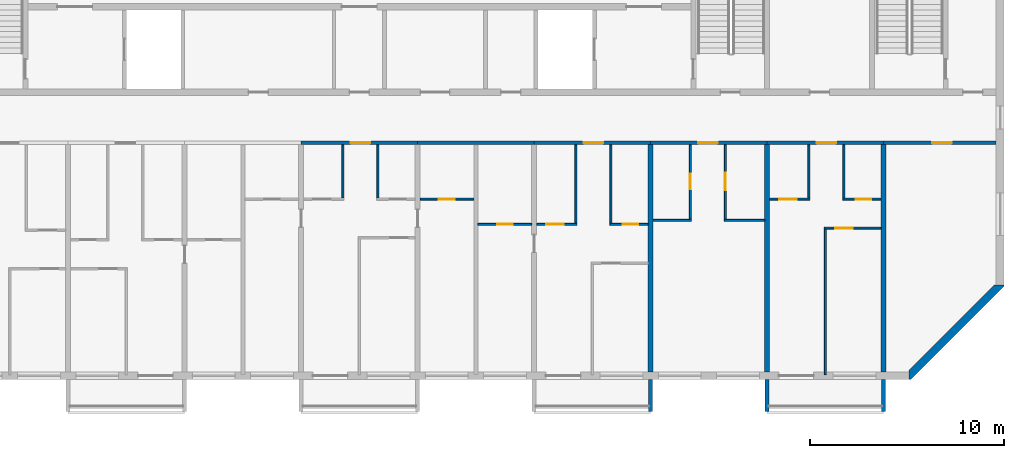
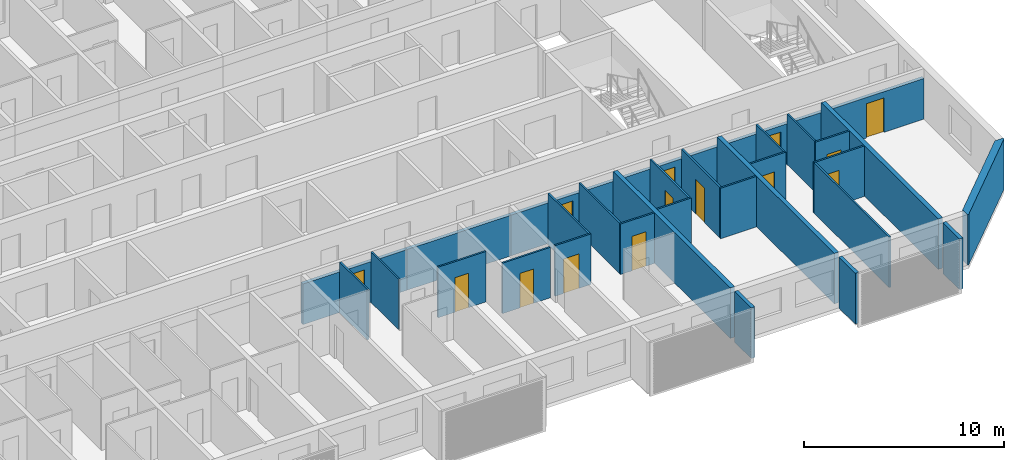
# One storey, part 5 of 26: 31 walls, 14 doors, 14 openings.
"""IFC4 building model written with IfcOpenShell, lengths in metres."""

from ifc_helpers import new_model, si_unit, direction, frame, frame_2d, origin, place, context, subcontext, project, spatial, polyline, rectangle, outline, extrude, source, transform, mapped, material, layer, layer_set, type_object, element, fill, save


model = new_model("IFC4")

# Units and contexts
model_context = context("Model", 3, precision=1e-05, world=origin(), true_north=direction((0.0, 1.0)))
body_context = subcontext(model_context, "Body", "Model", "MODEL_VIEW")
ifc_project = project(units=[si_unit("LENGTHUNIT", "METRE"), si_unit("AREAUNIT", "SQUARE_METRE"), si_unit("VOLUMEUNIT", "CUBIC_METRE"), si_unit("PLANEANGLEUNIT", "RADIAN"), si_unit("MASSUNIT", "GRAM", prefix="KILO")], contexts=[model_context])

# Site, building, storey
site_placement = place(None, origin())
site = spatial("IfcSite", under=ifc_project, at=site_placement, CompositionType="ELEMENT")
building_placement = place(site_placement, origin())
building = spatial("IfcBuilding", under=site, at=building_placement, Name="Poui Terraces", CompositionType="ELEMENT")
storey_placement = place(building_placement, frame((0.0, 0.0, 228.0)))
storey = spatial("IfcBuildingStorey", under=building, at=storey_placement, Name="L63", CompositionType="ELEMENT", Elevation=228.0)

# Wall, opening, door
ifc_material_1 = material(Name="Concrete 50 MPa", Category="concrete")
ifc_layer_1 = layer(ifc_material_1, 0.199951171875)
ifc_layer_set_1 = layer_set([ifc_layer_1], Name="Concrete 50 MPa")
wall_type_1 = type_object("IfcWallType", Name="CORRIDOR WALL 200 50MPa", PredefinedType="SHEAR", material=ifc_layer_set_1)
wall_1_placement = place(storey_placement, frame((48.0, 12.0, 0.0), z_axis=(0.0, 0.0, 1.0), x_axis=(1.0, 0.0, 0.0)))
wall_1 = element("IfcWall", 1, at=wall_1_placement, inside=storey, type_object=wall_type_1, Name="CORRIDOR WALL LINE B BAY 6", PredefinedType="SHEAR", context=body_context, shape_type="SweptSolid", body=[
    extrude(rectangle(XDim=6.0, YDim=0.199951171875, at=frame_2d((3.0, 0.0))), origin(), (0.0, 0.0, 1.0), 2.47998046875),
])
opening_1_placement = place(wall_1_placement, frame((2.550048828125, 0.0, 0.0)))
opening_1 = element("IfcOpeningElement", 2, at=opening_1_placement, cuts=wall_1, Name="Opening FD30S", PredefinedType="OPENING", context=body_context, shape_type="SweptSolid", body=[
    extrude(rectangle(XDim=1.0, YDim=2.10009765625, at=frame_2d((0.5, 1.050048828125))), frame((0.0, 0.10986328125, 0.0), z_axis=(0.0, -1.0, 0.0), x_axis=(1.0, 0.0, 0.0)), (0.0, 0.0, 1.0), 0.219970703125),
])
ifc_material_2 = material(Name="Steel fire door", Category="steel")
door_type_1 = type_object("IfcDoorType", Name="FLAT ENTRANCE DOOR 1000 X 2100", OperationType="NOTDEFINED", PredefinedType="DOOR", material=ifc_material_2)
door_1_placement = place(opening_1_placement, frame((1.0, 0.0, 0.0), z_axis=(0.0, 0.0, 1.0), x_axis=(-1.0, 0.0, 0.0)))
door_1 = element("IfcDoor", 3, at=door_1_placement, inside=storey, type_object=door_type_1, Name="FLAT ENTRANCE DOOR 077", OperationType="SINGLE_SWING_LEFT", OverallHeight=2.10009765625, OverallWidth=1.0, PredefinedType="DOOR", context=body_context, shape_type="SweptSolid", body=[
    extrude(rectangle(XDim=1.0, YDim=2.10009765625, at=frame_2d((0.5, 1.050048828125))), frame((0.0, 0.02490234375, 0.0), z_axis=(0.0, -1.0, 0.0), x_axis=(1.0, 0.0, 0.0)), (0.0, 0.0, 1.0), 0.050048828125),
])
fill(opening_1, door_1)

# Wall
wall_2_placement = place(storey_placement, frame((54.0, 12.0, 0.0), z_axis=(0.0, 0.0, 1.0), x_axis=(1.0, 0.0, 0.0)))
element("IfcWall", 4, at=wall_2_placement, inside=storey, type_object=wall_type_1, Name="CORRIDOR WALL LINE B BAY 7", PredefinedType="SHEAR", context=body_context, shape_type="SweptSolid", body=[
    extrude(rectangle(XDim=6.0, YDim=0.199951171875, at=frame_2d((3.0, 0.0))), origin(), (0.0, 0.0, 1.0), 2.47998046875),
])

# Wall, opening, door
wall_3_placement = place(storey_placement, frame((60.0, 12.0, 0.0), z_axis=(0.0, 0.0, 1.0), x_axis=(1.0, 0.0, 0.0)))
wall_3 = element("IfcWall", 5, at=wall_3_placement, inside=storey, type_object=wall_type_1, Name="CORRIDOR WALL LINE B BAY 8", PredefinedType="SHEAR", context=body_context, shape_type="SweptSolid", body=[
    extrude(rectangle(XDim=6.0, YDim=0.199951171875, at=frame_2d((3.0, 0.0))), origin(), (0.0, 0.0, 1.0), 2.47998046875),
])
opening_2_placement = place(wall_3_placement, frame((2.550048828125, 0.0, 0.0)))
opening_2 = element("IfcOpeningElement", 6, at=opening_2_placement, cuts=wall_3, Name="Opening FD30S", PredefinedType="OPENING", context=body_context, shape_type="SweptSolid", body=[
    extrude(rectangle(XDim=1.0, YDim=2.10009765625, at=frame_2d((0.5, 1.050048828125))), frame((0.0, 0.10986328125, 0.0), z_axis=(0.0, -1.0, 0.0), x_axis=(1.0, 0.0, 0.0)), (0.0, 0.0, 1.0), 0.219970703125),
])
door_2_placement = place(opening_2_placement, frame((1.0, 0.0, 0.0), z_axis=(0.0, 0.0, 1.0), x_axis=(-1.0, 0.0, 0.0)))
door_2 = element("IfcDoor", 7, at=door_2_placement, inside=storey, type_object=door_type_1, Name="FLAT ENTRANCE DOOR 084", OperationType="SINGLE_SWING_LEFT", OverallHeight=2.10009765625, OverallWidth=1.0, PredefinedType="DOOR", context=body_context, shape_type="SweptSolid", body=[
    extrude(rectangle(XDim=1.0, YDim=2.10009765625, at=frame_2d((0.5, 1.050048828125))), frame((0.0, 0.02490234375, 0.0), z_axis=(0.0, -1.0, 0.0), x_axis=(1.0, 0.0, 0.0)), (0.0, 0.0, 1.0), 0.050048828125),
])
fill(opening_2, door_2)

wall_4_placement = place(storey_placement, frame((66.0, 12.0, 0.0), z_axis=(0.0, 0.0, 1.0), x_axis=(1.0, 0.0, 0.0)))
wall_4 = element("IfcWall", 8, at=wall_4_placement, inside=storey, type_object=wall_type_1, Name="CORRIDOR WALL LINE B BAY 9", PredefinedType="SHEAR", context=body_context, shape_type="SweptSolid", body=[
    extrude(rectangle(XDim=6.0, YDim=0.199951171875, at=frame_2d((3.0, 0.0))), origin(), (0.0, 0.0, 1.0), 2.47998046875),
])
opening_3_placement = place(wall_4_placement, frame((2.449951171875, 0.0, 0.0)))
opening_3 = element("IfcOpeningElement", 9, at=opening_3_placement, cuts=wall_4, Name="Opening FD30S", PredefinedType="OPENING", context=body_context, shape_type="SweptSolid", body=[
    extrude(rectangle(XDim=1.0, YDim=2.10009765625, at=frame_2d((0.5, 1.050048828125))), frame((0.0, 0.10986328125, 0.0), z_axis=(0.0, -1.0, 0.0), x_axis=(1.0, 0.0, 0.0)), (0.0, 0.0, 1.0), 0.219970703125),
])
door_3_placement = place(opening_3_placement, frame((1.0, 0.0, 0.0), z_axis=(0.0, 0.0, 1.0), x_axis=(-1.0, 0.0, 0.0)))
door_3 = element("IfcDoor", 10, at=door_3_placement, inside=storey, type_object=door_type_1, Name="FLAT ENTRANCE DOOR 088", OperationType="SINGLE_SWING_RIGHT", OverallHeight=2.10009765625, OverallWidth=1.0, PredefinedType="DOOR", context=body_context, shape_type="SweptSolid", body=[
    extrude(rectangle(XDim=1.0, YDim=2.10009765625, at=frame_2d((0.5, 1.050048828125))), frame((0.0, 0.02490234375, 0.0), z_axis=(0.0, -1.0, 0.0), x_axis=(1.0, 0.0, 0.0)), (0.0, 0.0, 1.0), 0.050048828125),
])
fill(opening_3, door_3)

wall_5_placement = place(storey_placement, frame((72.0, 12.0, 0.0), z_axis=(0.0, 0.0, 1.0), x_axis=(1.0, 0.0, 0.0)))
wall_5 = element("IfcWall", 11, at=wall_5_placement, inside=storey, type_object=wall_type_1, Name="CORRIDOR WALL LINE B BAY 10", PredefinedType="SHEAR", context=body_context, shape_type="SweptSolid", body=[
    extrude(rectangle(XDim=6.0, YDim=0.199951171875, at=frame_2d((3.0, 0.0))), origin(), (0.0, 0.0, 1.0), 2.47998046875),
])
opening_4_placement = place(wall_5_placement, frame((2.550048828125, 0.0, 0.0)))
opening_4 = element("IfcOpeningElement", 12, at=opening_4_placement, cuts=wall_5, Name="Opening FD30S", PredefinedType="OPENING", context=body_context, shape_type="SweptSolid", body=[
    extrude(rectangle(XDim=1.0, YDim=2.10009765625, at=frame_2d((0.5, 1.050048828125))), frame((0.0, 0.10986328125, 0.0), z_axis=(0.0, -1.0, 0.0), x_axis=(1.0, 0.0, 0.0)), (0.0, 0.0, 1.0), 0.219970703125),
])
door_4_placement = place(opening_4_placement, frame((1.0, 0.0, 0.0), z_axis=(0.0, 0.0, 1.0), x_axis=(-1.0, 0.0, 0.0)))
door_4 = element("IfcDoor", 13, at=door_4_placement, inside=storey, type_object=door_type_1, Name="FLAT ENTRANCE DOOR 091", OperationType="SINGLE_SWING_LEFT", OverallHeight=2.10009765625, OverallWidth=1.0, PredefinedType="DOOR", context=body_context, shape_type="SweptSolid", body=[
    extrude(rectangle(XDim=1.0, YDim=2.10009765625, at=frame_2d((0.5, 1.050048828125))), frame((0.0, 0.02490234375, 0.0), z_axis=(0.0, -1.0, 0.0), x_axis=(1.0, 0.0, 0.0)), (0.0, 0.0, 1.0), 0.050048828125),
])
fill(opening_4, door_4)

wall_6_placement = place(storey_placement, frame((78.0, 12.0, 0.0), z_axis=(0.0, 0.0, 1.0), x_axis=(1.0, 0.0, 0.0)))
wall_6 = element("IfcWall", 14, at=wall_6_placement, inside=storey, type_object=wall_type_1, Name="CORRIDOR WALL LINE B BAY 11", PredefinedType="SHEAR", context=body_context, shape_type="SweptSolid", body=[
    extrude(rectangle(XDim=5.800048828125, YDim=0.199951171875, at=frame_2d((2.89990234375, 0.0))), origin(), (0.0, 0.0, 1.0), 2.47998046875),
])
opening_5_placement = place(wall_6_placement, frame((2.5, 0.0, 0.0)))
opening_5 = element("IfcOpeningElement", 15, at=opening_5_placement, cuts=wall_6, Name="Opening D100", PredefinedType="OPENING", context=body_context, shape_type="SweptSolid", body=[
    extrude(rectangle(XDim=1.0, YDim=2.10009765625, at=frame_2d((0.5, 1.050048828125))), frame((0.0, 0.10986328125, 0.0), z_axis=(0.0, -1.0, 0.0), x_axis=(1.0, 0.0, 0.0)), (0.0, 0.0, 1.0), 0.219970703125),
])
ifc_material_3 = material(Name="Solid core timber door", Category="wood")
door_type_2 = type_object("IfcDoorType", Name="ACCESSIBLE INTERNAL DOOR 1000 X 2100", OperationType="NOTDEFINED", PredefinedType="DOOR", material=ifc_material_3)
door_5_placement = place(opening_5_placement, frame((1.0, 0.0, 0.0), z_axis=(0.0, 0.0, 1.0), x_axis=(-1.0, 0.0, 0.0)))
door_5 = element("IfcDoor", 16, at=door_5_placement, inside=storey, type_object=door_type_2, Name="ACCESSIBLE INTERNAL DOOR 094", OperationType="SINGLE_SWING_RIGHT", OverallHeight=2.10009765625, OverallWidth=1.0, PredefinedType="DOOR", context=body_context, shape_type="SweptSolid", body=[
    extrude(rectangle(XDim=1.0, YDim=2.10009765625, at=frame_2d((0.5, 1.050048828125))), frame((0.0, 0.02490234375, 0.0), z_axis=(0.0, -1.0, 0.0), x_axis=(1.0, 0.0, 0.0)), (0.0, 0.0, 1.0), 0.050048828125),
])
fill(opening_5, door_5)

# Walls
ifc_layer_2 = layer(ifc_material_1, 0.25)
ifc_layer_set_2 = layer_set([ifc_layer_2], Name="Concrete 50 MPa")
wall_type_2 = type_object("IfcWallType", Name="CROSS WALL 250 50MPa", PredefinedType="SHEAR", material=ifc_layer_set_2)
for number, where, z_axis, x_axis, name in (
    (17, (66.0, 0.199951171875, 0.0), (0.0, 0.0, 1.0), (0.0, 1.0, 0.0), "CROSS WALL LINE 12 SOUTH"),
    (18, (72.0, 0.199951171875, 0.0), (0.0, 0.0, 1.0), (0.0, 1.0, 0.0), "CROSS WALL LINE 13 SOUTH"),
    (19, (78.0, 0.199951171875, 0.0), (0.0, 0.0, 1.0), (0.0, 1.0, 0.0), "CROSS WALL LINE 14 SOUTH"),
):
    element("IfcWall", number, at=place(storey_placement, frame(where, z_axis=z_axis, x_axis=x_axis)), inside=storey, type_object=wall_type_2, Name=name, PredefinedType="SHEAR", context=body_context, shape_type="SweptSolid", body=[
        extrude(rectangle(XDim=11.699951171875, YDim=0.25, at=frame_2d((5.85009765625, 0.0))), origin(), (0.0, 0.0, 1.0), 3.080078125),
    ])

# Wall, opening, door
ifc_material_4 = material(Name="Plasterboard partition")
ifc_layer_3 = layer(ifc_material_4, 0.10009765625)
ifc_layer_set_3 = layer_set([ifc_layer_3], Name="Plasterboard partition")
wall_type_3 = type_object("IfcWallType", Name="FLAT PARTITION 100", PredefinedType="PARTITIONING", material=ifc_layer_set_3)
wall_7_placement = place(storey_placement, frame((74.949951171875, 7.60009765625, 0.0), z_axis=(0.0, 0.0, 1.0), x_axis=(1.0, 0.0, 0.0)))
wall_7 = element("IfcWall", 20, at=wall_7_placement, inside=storey, type_object=wall_type_3, Name="FLAT PARTITION 100", PredefinedType="PARTITIONING", context=body_context, shape_type="SweptSolid", body=[
    extrude(rectangle(XDim=2.9150390625, YDim=0.10009765625, at=frame_2d((1.45751953125, 0.0))), origin(), (0.0, 0.0, 1.0), 3.080078125),
])
opening_6_placement = place(wall_7_placement, frame((0.550048828125, 0.0, 0.0)))
opening_6 = element("IfcOpeningElement", 21, at=opening_6_placement, cuts=wall_7, Name="Opening D90", PredefinedType="OPENING", context=body_context, shape_type="SweptSolid", body=[
    extrude(rectangle(XDim=0.89990234375, YDim=2.10009765625, at=frame_2d((0.449951171875, 1.050048828125))), frame((0.0, 0.06005859375, 0.0), z_axis=(0.0, -1.0, 0.0), x_axis=(1.0, 0.0, 0.0)), (0.0, 0.0, 1.0), 0.1201171875),
])
door_type_3 = type_object("IfcDoorType", Name="INTERNAL DOOR 900 X 2100", OperationType="NOTDEFINED", PredefinedType="DOOR", material=ifc_material_3)
door_6_placement = place(opening_6_placement, origin())
door_6 = element("IfcDoor", 22, at=door_6_placement, inside=storey, type_object=door_type_3, Name="INTERNAL DOOR 092", OperationType="SINGLE_SWING_RIGHT", OverallHeight=2.10009765625, OverallWidth=0.89990234375, PredefinedType="DOOR", context=body_context, shape_type="SweptSolid", body=[
    extrude(rectangle(XDim=0.89990234375, YDim=2.10009765625, at=frame_2d((0.449951171875, 1.050048828125))), frame((0.0, 0.02490234375, 0.0), z_axis=(0.0, -1.0, 0.0), x_axis=(1.0, 0.0, 0.0)), (0.0, 0.0, 1.0), 0.050048828125),
])
fill(opening_6, door_6)

wall_8_placement = place(storey_placement, frame((57.10009765625, 7.800048828125, 0.0), z_axis=(0.0, 0.0, 1.0), x_axis=(1.0, 0.0, 0.0)))
wall_8 = element("IfcWall", 23, at=wall_8_placement, inside=storey, type_object=wall_type_3, Name="FLAT PARTITION 100", PredefinedType="PARTITIONING", context=body_context, shape_type="SweptSolid", body=[
    extrude(rectangle(XDim=2.764892578125, YDim=0.10009765625, at=frame_2d((1.38232421875, 0.0))), origin(), (0.0, 0.0, 1.0), 3.080078125),
])
opening_7_placement = place(wall_8_placement, frame((1.0, 0.0, 0.0)))
opening_7 = element("IfcOpeningElement", 24, at=opening_7_placement, cuts=wall_8, Name="Opening D80", PredefinedType="OPENING", context=body_context, shape_type="SweptSolid", body=[
    extrude(rectangle(XDim=0.800048828125, YDim=2.10009765625, at=frame_2d((0.39990234375, 1.050048828125))), frame((0.0, 0.06005859375, 0.0), z_axis=(0.0, -1.0, 0.0), x_axis=(1.0, 0.0, 0.0)), (0.0, 0.0, 1.0), 0.1201171875),
])
door_type_4 = type_object("IfcDoorType", Name="BATHROOM, LAUNDRY AND STORE DOOR 800 X 2100", OperationType="NOTDEFINED", PredefinedType="DOOR", material=ifc_material_3)
door_7_placement = place(opening_7_placement, origin())
door_7 = element("IfcDoor", 25, at=door_7_placement, inside=storey, type_object=door_type_4, Name="BATHROOM, LAUNDRY AND STORE DOOR 081", OperationType="SINGLE_SWING_RIGHT", OverallHeight=2.10009765625, OverallWidth=0.800048828125, PredefinedType="DOOR", context=body_context, shape_type="SweptSolid", body=[
    extrude(rectangle(XDim=0.800048828125, YDim=2.10009765625, at=frame_2d((0.39990234375, 1.050048828125))), frame((0.0, 0.02490234375, 0.0), z_axis=(0.0, -1.0, 0.0), x_axis=(1.0, 0.0, 0.0)), (0.0, 0.0, 1.0), 0.050048828125),
])
fill(opening_7, door_7)

wall_9_placement = place(storey_placement, frame((60.135009765625, 7.800048828125, 0.0), z_axis=(0.0, 0.0, 1.0), x_axis=(1.0, 0.0, 0.0)))
wall_9 = element("IfcWall", 26, at=wall_9_placement, inside=storey, type_object=wall_type_3, Name="FLAT PARTITION 100", PredefinedType="PARTITIONING", context=body_context, shape_type="SweptSolid", body=[
    extrude(rectangle(XDim=2.06494140625, YDim=0.10009765625, at=frame_2d((1.032470703125, 0.0))), origin(), (0.0, 0.0, 1.0), 3.080078125),
])
opening_8_placement = place(wall_9_placement, frame((0.489990234375, 0.0, 0.0)))
opening_8 = element("IfcOpeningElement", 27, at=opening_8_placement, cuts=wall_9, Name="Opening D90", PredefinedType="OPENING", context=body_context, shape_type="SweptSolid", body=[
    extrude(rectangle(XDim=0.89990234375, YDim=2.10009765625, at=frame_2d((0.449951171875, 1.050048828125))), frame((0.0, 0.06005859375, 0.0), z_axis=(0.0, -1.0, 0.0), x_axis=(1.0, 0.0, 0.0)), (0.0, 0.0, 1.0), 0.1201171875),
])
door_8_placement = place(opening_8_placement, origin())
door_8 = element("IfcDoor", 28, at=door_8_placement, inside=storey, type_object=door_type_3, Name="INTERNAL DOOR 083", OperationType="SINGLE_SWING_RIGHT", OverallHeight=2.10009765625, OverallWidth=0.89990234375, PredefinedType="DOOR", context=body_context, shape_type="SweptSolid", body=[
    extrude(rectangle(XDim=0.89990234375, YDim=2.10009765625, at=frame_2d((0.449951171875, 1.050048828125))), frame((0.0, 0.02490234375, 0.0), z_axis=(0.0, -1.0, 0.0), x_axis=(1.0, 0.0, 0.0)), (0.0, 0.0, 1.0), 0.050048828125),
])
fill(opening_8, door_8)

wall_10_placement = place(storey_placement, frame((63.89990234375, 7.800048828125, 0.0), z_axis=(0.0, 0.0, 1.0), x_axis=(1.0, 0.0, 0.0)))
wall_10 = element("IfcWall", 29, at=wall_10_placement, inside=storey, type_object=wall_type_3, Name="FLAT PARTITION 100", PredefinedType="PARTITIONING", context=body_context, shape_type="SweptSolid", body=[
    extrude(rectangle(XDim=1.965087890625, YDim=0.10009765625, at=frame_2d((0.982421875, 0.0))), origin(), (0.0, 0.0, 1.0), 3.080078125),
])
opening_9_placement = place(wall_10_placement, frame((0.675048828125, 0.0, 0.0)))
opening_9 = element("IfcOpeningElement", 30, at=opening_9_placement, cuts=wall_10, Name="Opening D80", PredefinedType="OPENING", context=body_context, shape_type="SweptSolid", body=[
    extrude(rectangle(XDim=0.800048828125, YDim=2.10009765625, at=frame_2d((0.39990234375, 1.050048828125))), frame((0.0, 0.06005859375, 0.0), z_axis=(0.0, -1.0, 0.0), x_axis=(1.0, 0.0, 0.0)), (0.0, 0.0, 1.0), 0.1201171875),
])
door_9_placement = place(opening_9_placement, origin())
door_9 = element("IfcDoor", 31, at=door_9_placement, inside=storey, type_object=door_type_4, Name="BATHROOM, LAUNDRY AND STORE DOOR 086", OperationType="SINGLE_SWING_LEFT", OverallHeight=2.10009765625, OverallWidth=0.800048828125, PredefinedType="DOOR", context=body_context, shape_type="SweptSolid", body=[
    extrude(rectangle(XDim=0.800048828125, YDim=2.10009765625, at=frame_2d((0.39990234375, 1.050048828125))), frame((0.0, 0.02490234375, 0.0), z_axis=(0.0, -1.0, 0.0), x_axis=(1.0, 0.0, 0.0)), (0.0, 0.0, 1.0), 0.050048828125),
])
fill(opening_9, door_9)

# Walls
wall_11_placement = place(storey_placement, frame((66.135009765625, 8.0, 0.0), z_axis=(0.0, 0.0, 1.0), x_axis=(1.0, 0.0, 0.0)))
element("IfcWall", 32, at=wall_11_placement, inside=storey, type_object=wall_type_3, Name="FLAT PARTITION 100", PredefinedType="PARTITIONING", context=body_context, shape_type="SweptSolid", body=[
    extrude(rectangle(XDim=1.965087890625, YDim=0.10009765625, at=frame_2d((0.982421875, 0.0))), origin(), (0.0, 0.0, 1.0), 3.080078125),
])
wall_12_placement = place(storey_placement, frame((69.800048828125, 8.0, 0.0), z_axis=(0.0, 0.0, 1.0), x_axis=(1.0, 0.0, 0.0)))
element("IfcWall", 33, at=wall_12_placement, inside=storey, type_object=wall_type_3, Name="FLAT PARTITION 100", PredefinedType="PARTITIONING", context=body_context, shape_type="SweptSolid", body=[
    extrude(rectangle(XDim=2.06494140625, YDim=0.10009765625, at=frame_2d((1.032470703125, 0.0))), origin(), (0.0, 0.0, 1.0), 3.080078125),
])

# Wall, opening, door
wall_13_placement = place(storey_placement, frame((54.135009765625, 9.10009765625, 0.0), z_axis=(0.0, 0.0, 1.0), x_axis=(1.0, 0.0, 0.0)))
wall_13 = element("IfcWall", 34, at=wall_13_placement, inside=storey, type_object=wall_type_3, Name="FLAT PARTITION 100", PredefinedType="PARTITIONING", context=body_context, shape_type="SweptSolid", body=[
    extrude(rectangle(XDim=2.764892578125, YDim=0.10009765625, at=frame_2d((1.38232421875, 0.0))), origin(), (0.0, 0.0, 1.0), 3.080078125),
])
opening_10_placement = place(wall_13_placement, frame((0.965087890625, 0.0, 0.0)))
opening_10 = element("IfcOpeningElement", 35, at=opening_10_placement, cuts=wall_13, Name="Opening D80", PredefinedType="OPENING", context=body_context, shape_type="SweptSolid", body=[
    extrude(rectangle(XDim=0.800048828125, YDim=2.10009765625, at=frame_2d((0.39990234375, 1.050048828125))), frame((0.0, 0.06005859375, 0.0), z_axis=(0.0, -1.0, 0.0), x_axis=(1.0, 0.0, 0.0)), (0.0, 0.0, 1.0), 0.1201171875),
])
door_10_placement = place(opening_10_placement, origin())
door_10 = element("IfcDoor", 36, at=door_10_placement, inside=storey, type_object=door_type_4, Name="BATHROOM, LAUNDRY AND STORE DOOR 074", OperationType="SINGLE_SWING_LEFT", OverallHeight=2.10009765625, OverallWidth=0.800048828125, PredefinedType="DOOR", context=body_context, shape_type="SweptSolid", body=[
    extrude(rectangle(XDim=0.800048828125, YDim=2.10009765625, at=frame_2d((0.39990234375, 1.050048828125))), frame((0.0, 0.02490234375, 0.0), z_axis=(0.0, -1.0, 0.0), x_axis=(1.0, 0.0, 0.0)), (0.0, 0.0, 1.0), 0.050048828125),
])
fill(opening_10, door_10)

wall_14_placement = place(storey_placement, frame((72.135009765625, 9.10009765625, 0.0), z_axis=(0.0, 0.0, 1.0), x_axis=(1.0, 0.0, 0.0)))
wall_14 = element("IfcWall", 37, at=wall_14_placement, inside=storey, type_object=wall_type_3, Name="FLAT PARTITION 100", PredefinedType="PARTITIONING", context=body_context, shape_type="SweptSolid", body=[
    extrude(rectangle(XDim=2.06494140625, YDim=0.10009765625, at=frame_2d((1.032470703125, 0.0))), origin(), (0.0, 0.0, 1.0), 3.080078125),
])
opening_11_placement = place(wall_14_placement, frame((0.489990234375, 0.0, 0.0)))
opening_11 = element("IfcOpeningElement", 38, at=opening_11_placement, cuts=wall_14, Name="Opening D90", PredefinedType="OPENING", context=body_context, shape_type="SweptSolid", body=[
    extrude(rectangle(XDim=0.89990234375, YDim=2.10009765625, at=frame_2d((0.449951171875, 1.050048828125))), frame((0.0, 0.06005859375, 0.0), z_axis=(0.0, -1.0, 0.0), x_axis=(1.0, 0.0, 0.0)), (0.0, 0.0, 1.0), 0.1201171875),
])
door_11_placement = place(opening_11_placement, origin())
door_11 = element("IfcDoor", 39, at=door_11_placement, inside=storey, type_object=door_type_3, Name="INTERNAL DOOR 090", OperationType="SINGLE_SWING_RIGHT", OverallHeight=2.10009765625, OverallWidth=0.89990234375, PredefinedType="DOOR", context=body_context, shape_type="SweptSolid", body=[
    extrude(rectangle(XDim=0.89990234375, YDim=2.10009765625, at=frame_2d((0.449951171875, 1.050048828125))), frame((0.0, 0.02490234375, 0.0), z_axis=(0.0, -1.0, 0.0), x_axis=(1.0, 0.0, 0.0)), (0.0, 0.0, 1.0), 0.050048828125),
])
fill(opening_11, door_11)

wall_15_placement = place(storey_placement, frame((75.89990234375, 9.10009765625, 0.0), z_axis=(0.0, 0.0, 1.0), x_axis=(1.0, 0.0, 0.0)))
wall_15 = element("IfcWall", 40, at=wall_15_placement, inside=storey, type_object=wall_type_3, Name="FLAT PARTITION 100", PredefinedType="PARTITIONING", context=body_context, shape_type="SweptSolid", body=[
    extrude(rectangle(XDim=1.965087890625, YDim=0.10009765625, at=frame_2d((0.982421875, 0.0))), origin(), (0.0, 0.0, 1.0), 3.080078125),
])
opening_12_placement = place(wall_15_placement, frame((0.675048828125, 0.0, 0.0)))
opening_12 = element("IfcOpeningElement", 41, at=opening_12_placement, cuts=wall_15, Name="Opening D80", PredefinedType="OPENING", context=body_context, shape_type="SweptSolid", body=[
    extrude(rectangle(XDim=0.800048828125, YDim=2.10009765625, at=frame_2d((0.39990234375, 1.050048828125))), frame((0.0, 0.06005859375, 0.0), z_axis=(0.0, -1.0, 0.0), x_axis=(1.0, 0.0, 0.0)), (0.0, 0.0, 1.0), 0.1201171875),
])
door_12_placement = place(opening_12_placement, origin())
door_12 = element("IfcDoor", 42, at=door_12_placement, inside=storey, type_object=door_type_4, Name="BATHROOM, LAUNDRY AND STORE DOOR 093", OperationType="SINGLE_SWING_LEFT", OverallHeight=2.10009765625, OverallWidth=0.800048828125, PredefinedType="DOOR", context=body_context, shape_type="SweptSolid", body=[
    extrude(rectangle(XDim=0.800048828125, YDim=2.10009765625, at=frame_2d((0.39990234375, 1.050048828125))), frame((0.0, 0.02490234375, 0.0), z_axis=(0.0, -1.0, 0.0), x_axis=(1.0, 0.0, 0.0)), (0.0, 0.0, 1.0), 0.050048828125),
])
fill(opening_12, door_12)

# Walls
for number, where, z_axis, x_axis, name in (
    (43, (50.14990234375, 9.14990234375, 0.0), (0.0, 0.0, 1.0), (0.0, 1.0, 0.0), "FLAT PARTITION 100"),
    (44, (51.949951171875, 9.14990234375, 0.0), (0.0, 0.0, 1.0), (0.0, 1.0, 0.0), "FLAT PARTITION 100"),
):
    element("IfcWall", number, at=place(storey_placement, frame(where, z_axis=z_axis, x_axis=x_axis)), inside=storey, type_object=wall_type_3, Name=name, PredefinedType="PARTITIONING", context=body_context, shape_type="SweptSolid", body=[
        extrude(rectangle(XDim=2.739990234375, YDim=0.10009765625, at=frame_2d((1.3701171875, 0.0))), origin(), (0.0, 0.0, 1.0), 3.080078125),
    ])
for number, where, z_axis, x_axis, name in (
    (45, (62.14990234375, 7.85009765625, 0.0), (0.0, 0.0, 1.0), (0.0, 1.0, 0.0), "FLAT PARTITION 100"),
    (46, (63.949951171875, 7.85009765625, 0.0), (0.0, 0.0, 1.0), (0.0, 1.0, 0.0), "FLAT PARTITION 100"),
):
    element("IfcWall", number, at=place(storey_placement, frame(where, z_axis=z_axis, x_axis=x_axis)), inside=storey, type_object=wall_type_3, Name=name, PredefinedType="PARTITIONING", context=body_context, shape_type="SweptSolid", body=[
        extrude(rectangle(XDim=4.039794921875, YDim=0.10009765625, at=frame_2d((2.02001953125, 0.0))), origin(), (0.0, 0.0, 1.0), 3.080078125),
    ])

# Wall, opening, door
wall_16_placement = place(storey_placement, frame((68.050048828125, 8.050048828125, 0.0), z_axis=(0.0, 0.0, 1.0), x_axis=(0.0, 1.0, 0.0)))
wall_16 = element("IfcWall", 47, at=wall_16_placement, inside=storey, type_object=wall_type_3, Name="FLAT PARTITION 100", PredefinedType="PARTITIONING", context=body_context, shape_type="SweptSolid", body=[
    extrude(rectangle(XDim=3.83984375, YDim=0.10009765625, at=frame_2d((1.919921875, 0.0))), origin(), (0.0, 0.0, 1.0), 3.080078125),
])
opening_13_placement = place(wall_16_placement, frame((1.550048828125, 0.0, 0.0)))
opening_13 = element("IfcOpeningElement", 48, at=opening_13_placement, cuts=wall_16, Name="Opening D80", PredefinedType="OPENING", context=body_context, shape_type="SweptSolid", body=[
    extrude(rectangle(XDim=0.800048828125, YDim=2.10009765625, at=frame_2d((0.39990234375, 1.050048828125))), frame((0.0, 0.06005859375, 0.0), z_axis=(0.0, -1.0, 0.0), x_axis=(1.0, 0.0, 0.0)), (0.0, 0.0, 1.0), 0.1201171875),
])
door_13_placement = place(opening_13_placement, origin())
door_13 = element("IfcDoor", 49, at=door_13_placement, inside=storey, type_object=door_type_4, Name="BATHROOM, LAUNDRY AND STORE DOOR 087", OperationType="SINGLE_SWING_RIGHT", OverallHeight=2.10009765625, OverallWidth=0.800048828125, PredefinedType="DOOR", context=body_context, shape_type="SweptSolid", body=[
    extrude(rectangle(XDim=0.800048828125, YDim=2.10009765625, at=frame_2d((0.39990234375, 1.050048828125))), frame((0.0, 0.02490234375, 0.0), z_axis=(0.0, -1.0, 0.0), x_axis=(1.0, 0.0, 0.0)), (0.0, 0.0, 1.0), 0.050048828125),
])
fill(opening_13, door_13)

wall_17_placement = place(storey_placement, frame((69.85009765625, 8.050048828125, 0.0), z_axis=(0.0, 0.0, 1.0), x_axis=(0.0, 1.0, 0.0)))
wall_17 = element("IfcWall", 50, at=wall_17_placement, inside=storey, type_object=wall_type_3, Name="FLAT PARTITION 100", PredefinedType="PARTITIONING", context=body_context, shape_type="SweptSolid", body=[
    extrude(rectangle(XDim=3.83984375, YDim=0.10009765625, at=frame_2d((1.919921875, 0.0))), origin(), (0.0, 0.0, 1.0), 3.080078125),
])
opening_14_placement = place(wall_17_placement, frame((1.5, 0.0, 0.0)))
opening_14 = element("IfcOpeningElement", 51, at=opening_14_placement, cuts=wall_17, Name="Opening D90", PredefinedType="OPENING", context=body_context, shape_type="SweptSolid", body=[
    extrude(rectangle(XDim=0.89990234375, YDim=2.10009765625, at=frame_2d((0.449951171875, 1.050048828125))), frame((0.0, 0.06005859375, 0.0), z_axis=(0.0, -1.0, 0.0), x_axis=(1.0, 0.0, 0.0)), (0.0, 0.0, 1.0), 0.1201171875),
])
door_14_placement = place(opening_14_placement, frame((0.89990234375, 0.0, 0.0), z_axis=(0.0, 0.0, 1.0), x_axis=(-1.0, 0.0, 0.0)))
door_14 = element("IfcDoor", 52, at=door_14_placement, inside=storey, type_object=door_type_3, Name="INTERNAL DOOR 089", OperationType="SINGLE_SWING_RIGHT", OverallHeight=2.10009765625, OverallWidth=0.89990234375, PredefinedType="DOOR", context=body_context, shape_type="SweptSolid", body=[
    extrude(rectangle(XDim=0.89990234375, YDim=2.10009765625, at=frame_2d((0.449951171875, 1.050048828125))), frame((0.0, 0.02490234375, 0.0), z_axis=(0.0, -1.0, 0.0), x_axis=(1.0, 0.0, 0.0)), (0.0, 0.0, 1.0), 0.050048828125),
])
fill(opening_14, door_14)

# Walls
wall_18_placement = place(storey_placement, frame((74.14990234375, 9.14990234375, 0.0), z_axis=(0.0, 0.0, 1.0), x_axis=(0.0, 1.0, 0.0)))
element("IfcWall", 53, at=wall_18_placement, inside=storey, type_object=wall_type_3, Name="FLAT PARTITION 100", PredefinedType="PARTITIONING", context=body_context, shape_type="SweptSolid", body=[
    extrude(rectangle(XDim=2.739990234375, YDim=0.10009765625, at=frame_2d((1.3701171875, 0.0))), origin(), (0.0, 0.0, 1.0), 3.080078125),
])
wall_19_placement = place(storey_placement, frame((75.0, 0.06005859375, 0.0), z_axis=(0.0, 0.0, 1.0), x_axis=(0.0, 1.0, 0.0)))
element("IfcWall", 54, at=wall_19_placement, inside=storey, type_object=wall_type_3, Name="FLAT PARTITION 100", PredefinedType="PARTITIONING", context=body_context, shape_type="SweptSolid", body=[
    extrude(rectangle(XDim=7.489990234375, YDim=0.10009765625, at=frame_2d((3.7451171875, 0.0))), origin(), (0.0, 0.0, 1.0), 3.080078125),
])
wall_20_placement = place(storey_placement, frame((75.949951171875, 9.14990234375, 0.0), z_axis=(0.0, 0.0, 1.0), x_axis=(0.0, 1.0, 0.0)))
element("IfcWall", 55, at=wall_20_placement, inside=storey, type_object=wall_type_3, Name="FLAT PARTITION 100", PredefinedType="PARTITIONING", context=body_context, shape_type="SweptSolid", body=[
    extrude(rectangle(XDim=2.739990234375, YDim=0.10009765625, at=frame_2d((1.3701171875, 0.0))), origin(), (0.0, 0.0, 1.0), 3.080078125),
])
ifc_material_5 = material(Name="Precast concrete 40 MPa", Category="concrete")
ifc_layer_4 = layer(ifc_material_5, 0.39990234375)
ifc_layer_set_4 = layer_set([ifc_layer_4], Name="Precast concrete 40 MPa")
wall_type_4 = type_object("IfcWallType", Name="TERRACOTTA CLAD CHAMFER WALL 400", PredefinedType="STANDARD", material=ifc_layer_set_4)
wall_21_placement = place(storey_placement, origin())
element("IfcWall", 56, at=wall_21_placement, inside=storey, type_object=wall_type_4, Name="CHAMFER WALL CH01", PredefinedType="STANDARD", context=body_context, shape_type="SweptSolid", body=[
    extrude(outline(polyline([(79.317138671875, -0.199951171875), (79.39990234375, -0.199951171875), (84.199951171875, 4.60009765625), (84.199951171875, 4.682861328125), (83.71728515625, 4.682861328125), (79.317138671875, 0.28271484375), (79.317138671875, -0.199951171875)])), origin(), (0.0, 0.0, 1.0), 3.080078125),
])
ifc_layer_5 = layer(ifc_material_5, 0.199951171875)
ifc_layer_set_5 = layer_set([ifc_layer_5], Name="Precast concrete 40 MPa")
wall_type_5 = type_object("IfcWallType", Name="REAR FIN 200", PredefinedType="STANDARD", material=ifc_layer_set_5)
shared_shape = source(origin(), body_context, "Body", "SweptSolid", [
    extrude(outline(polyline([(0.0, 0.0), (0.2001953125, 0.0), (0.2001953125, 1.650146484375), (0.0, 1.650146484375), (0.0, 0.0)])), origin(), (0.0, 0.0, 1.0), 3.10009765625),
])
for number, where, name in (
    (57, (65.89990234375, -1.85009765625, 0.0), "REAR FIN"),
    (58, (71.89990234375, -1.85009765625, 0.0), "REAR FIN"),
    (59, (77.89990234375, -1.85009765625, 0.0), "REAR FIN"),
):
    element("IfcWall", number, at=place(storey_placement, frame(where)), inside=storey, type_object=wall_type_5, Name=name, PredefinedType="STANDARD", context=body_context, shape_type="MappedRepresentation", body=[
        mapped(shared_shape, transform((0.0, 0.0, 0.0))),
    ])

save(model, "model.ifc")
